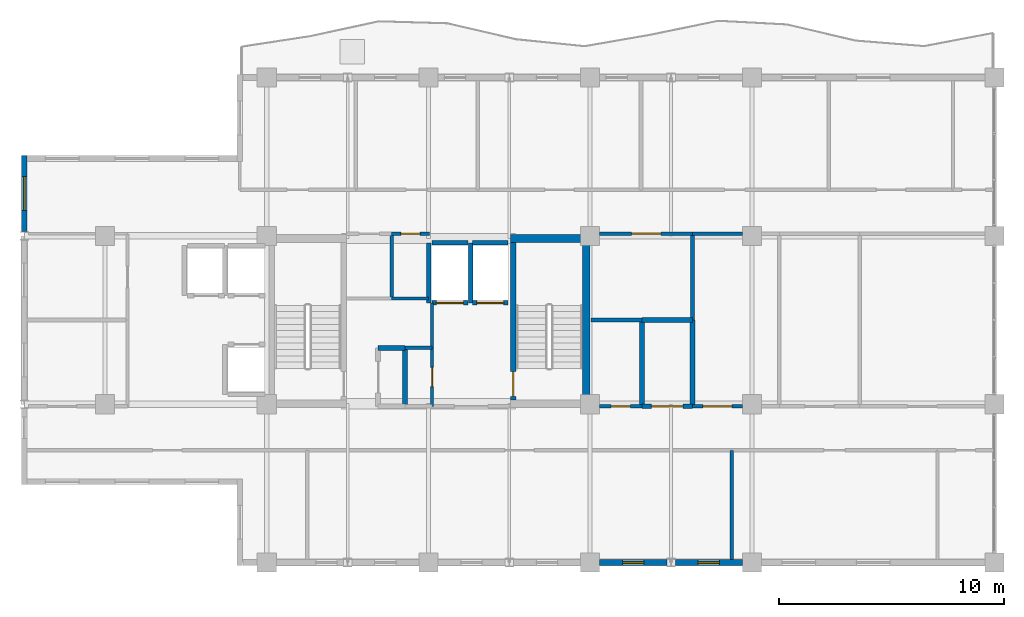
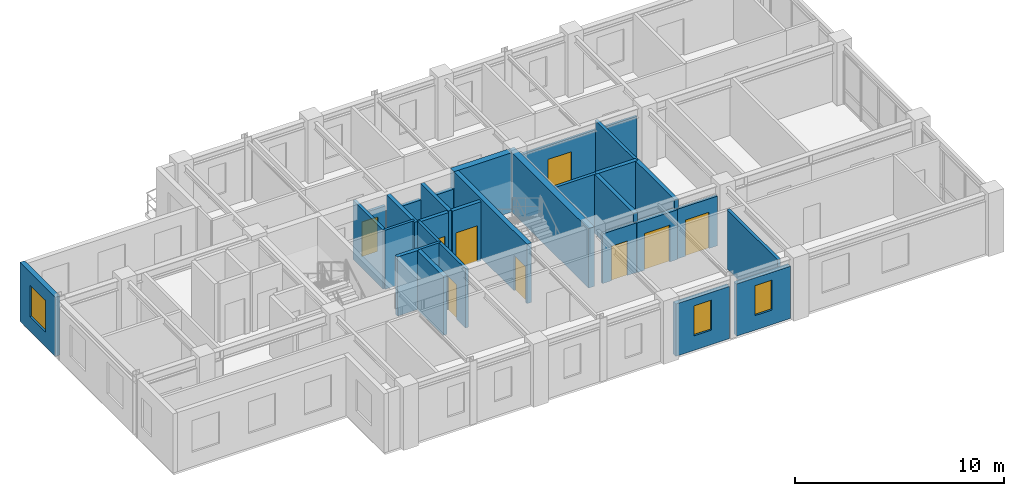
# One storey, part 7 of 10: 31 walls, 9 doors, 3 windows, 12 openings.
"""IFC4 building model written with IfcOpenShell, lengths in metres."""

from ifc_helpers import new_model, si_unit, direction, frame, frame_2d, origin, place, context, subcontext, project, spatial, rectangle, extrude, material, layer, layer_set, type_object, element, fill, save


model = new_model("IFC4")

# Units and contexts
model_context = context("Model", 3, precision=1e-05, world=origin(), true_north=direction((0.0, 1.0)))
body_context = subcontext(model_context, "Body", "Model", "MODEL_VIEW")
ifc_project = project(units=[si_unit("LENGTHUNIT", "METRE"), si_unit("AREAUNIT", "SQUARE_METRE"), si_unit("VOLUMEUNIT", "CUBIC_METRE"), si_unit("PLANEANGLEUNIT", "RADIAN"), si_unit("MASSUNIT", "GRAM", prefix="KILO")], contexts=[model_context])

# Site, building, storey
site_placement = place(None, origin())
site = spatial("IfcSite", under=ifc_project, at=site_placement, CompositionType="ELEMENT")
building_placement = place(site_placement, origin())
building = spatial("IfcBuilding", under=site, at=building_placement, Name="Kaliganga Portal Commons", CompositionType="ELEMENT")
storey_placement = place(building_placement, frame((0.0, 0.0, 283.199951171875)))
storey = spatial("IfcBuildingStorey", under=building, at=storey_placement, Name="L73", CompositionType="ELEMENT", Elevation=283.199951171875)

# Walls
ifc_material_1 = material(Name="Concrete C50/60", Category="concrete")
ifc_layer_1 = layer(ifc_material_1, 0.35009765625)
ifc_layer_set_1 = layer_set([ifc_layer_1], Name="Concrete C50/60")
wall_type_1 = type_object("IfcWallType", Name="WL-CORE-350", PredefinedType="SHEAR", material=ifc_layer_set_1)
wall_1_placement = place(storey_placement, frame((28.625, 28.5, 0.0), z_axis=(0.0, 0.0, 1.0), x_axis=(0.0, 1.0, 0.0)))
element("IfcWall", 1, at=wall_1_placement, inside=storey, type_object=wall_type_1, Name="Core A East Shear Wall L73", PredefinedType="SHEAR", context=body_context, shape_type="SweptSolid", body=[
    extrude(rectangle(XDim=7.699951171875, YDim=0.35009765625, at=frame_2d((3.85009765625, 0.0))), origin(), (0.0, 0.0, 1.0), 3.47509765625),
])
wall_2_placement = place(storey_placement, frame((25.25, 36.02490234375, 0.0), z_axis=(0.0, 0.0, 1.0), x_axis=(1.0, 0.0, 0.0)))
element("IfcWall", 2, at=wall_2_placement, inside=storey, type_object=wall_type_1, Name="Core A N-East Shear Wall L73", PredefinedType="SHEAR", context=body_context, shape_type="SweptSolid", body=[
    extrude(rectangle(XDim=3.199951171875, YDim=0.35009765625, at=frame_2d((1.60009765625, 0.0))), origin(), (0.0, 0.0, 1.0), 3.47509765625),
])

# Wall, opening, window
ifc_material_2 = material(Name="Insulated Aluminium-Clad Spandrel Assembly", Category="aluminium")
ifc_layer_2 = layer(ifc_material_2, 0.260009765625)
ifc_layer_set_2 = layer_set([ifc_layer_2], Name="Insulated Aluminium-Clad Spandrel Assembly")
wall_type_2 = type_object("IfcWallType", Name="WL-EXT-SPAND-260", PredefinedType="STANDARD", material=ifc_layer_set_2)
wall_3_placement = place(storey_placement, frame((32.2119140625, 21.60009765625, 0.0), z_axis=(0.0, 0.0, 1.0), x_axis=(-1.0, 0.0, 0.0)))
wall_3 = element("IfcWall", 3, at=wall_3_placement, inside=storey, type_object=wall_type_2, Name="Exterior Envelope Wall L73 P1-E00-S6", PredefinedType="STANDARD", context=body_context, shape_type="SweptSolid", body=[
    extrude(rectangle(XDim=2.98583984375, YDim=0.260009765625, at=frame_2d((1.492919921875, 0.0))), origin(), (0.0, 0.0, 1.0), 3.054931640625),
])
opening_1_placement = place(wall_3_placement, frame((1.01806640625, 0.0, 0.85009765625)))
opening_1 = element("IfcOpeningElement", 4, at=opening_1_placement, cuts=wall_3, Name="Opening W-04", PredefinedType="OPENING", context=body_context, shape_type="SweptSolid", body=[
    extrude(rectangle(XDim=0.949951171875, YDim=1.75, at=frame_2d((0.47509765625, 0.875))), frame((0.0, 0.14013671875, 0.0), z_axis=(0.0, -1.0, 0.0), x_axis=(1.0, 0.0, 0.0)), (0.0, 0.0, 1.0), 0.280029296875),
])
ifc_material_3 = material(Name="Thermally Broken Aluminium and Low-E Double Glazing", Category="aluminium")
window_type_1 = type_object("IfcWindowType", Name="WIN-NARROW-950", PartitioningType="SINGLE_PANEL", PredefinedType="WINDOW", material=ifc_material_3)
window_1_placement = place(opening_1_placement, origin())
window_1 = element("IfcWindow", 5, at=window_1_placement, inside=storey, type_object=window_type_1, Name="Facade Window L73-P1E00S6-00", OverallHeight=1.75, OverallWidth=0.949951171875, PartitioningType="SINGLE_PANEL", PredefinedType="WINDOW", context=body_context, shape_type="SweptSolid", body=[
    extrude(rectangle(XDim=0.949951171875, YDim=1.75, at=frame_2d((0.47509765625, 0.875))), frame((0.0, 0.030029296875, 0.0), z_axis=(0.0, -1.0, 0.0), x_axis=(1.0, 0.0, 0.0)), (0.0, 0.0, 1.0), 0.06005859375),
])
fill(opening_1, window_1)

wall_4_placement = place(storey_placement, frame((35.573974609375, 21.60009765625, 0.0), z_axis=(0.0, 0.0, 1.0), x_axis=(-1.0, 0.0, 0.0)))
wall_4 = element("IfcWall", 6, at=wall_4_placement, inside=storey, type_object=wall_type_2, Name="Exterior Envelope Wall L73 P1-E00-S7", PredefinedType="STANDARD", context=body_context, shape_type="SweptSolid", body=[
    extrude(rectangle(XDim=2.986083984375, YDim=0.260009765625, at=frame_2d((1.4931640625, 0.0))), origin(), (0.0, 0.0, 1.0), 3.054931640625),
])
opening_2_placement = place(wall_4_placement, frame((1.01806640625, 0.0, 0.85009765625)))
opening_2 = element("IfcOpeningElement", 7, at=opening_2_placement, cuts=wall_4, Name="Opening W-04", PredefinedType="OPENING", context=body_context, shape_type="SweptSolid", body=[
    extrude(rectangle(XDim=0.949951171875, YDim=1.75, at=frame_2d((0.47509765625, 0.875))), frame((0.0, 0.14013671875, 0.0), z_axis=(0.0, -1.0, 0.0), x_axis=(1.0, 0.0, 0.0)), (0.0, 0.0, 1.0), 0.280029296875),
])
window_2_placement = place(opening_2_placement, origin())
window_2 = element("IfcWindow", 8, at=window_2_placement, inside=storey, type_object=window_type_1, Name="Facade Window L73-P1E00S7-00", OverallHeight=1.75, OverallWidth=0.949951171875, PartitioningType="SINGLE_PANEL", PredefinedType="WINDOW", context=body_context, shape_type="SweptSolid", body=[
    extrude(rectangle(XDim=0.949951171875, YDim=1.75, at=frame_2d((0.47509765625, 0.875))), frame((0.0, 0.030029296875, 0.0), z_axis=(0.0, -1.0, 0.0), x_axis=(1.0, 0.0, 0.0)), (0.0, 0.0, 1.0), 0.06005859375),
])
fill(opening_2, window_2)

wall_5_placement = place(storey_placement, frame((3.60009765625, 36.3369140625, 0.0), z_axis=(0.0, 0.0, 1.0), x_axis=(0.0, 1.0, 0.0)))
wall_5 = element("IfcWall", 9, at=wall_5_placement, inside=storey, type_object=wall_type_2, Name="Exterior Envelope Wall L73 P1-E05-S1", PredefinedType="STANDARD", context=body_context, shape_type="SweptSolid", body=[
    extrude(rectangle(XDim=3.39306640625, YDim=0.260009765625, at=frame_2d((1.696533203125, 0.0))), origin(), (0.0, 0.0, 1.0), 3.455078125),
])
opening_3_placement = place(wall_5_placement, frame((0.946533203125, 0.0, 0.85009765625)))
opening_3 = element("IfcOpeningElement", 10, at=opening_3_placement, cuts=wall_5, Name="Opening W-02", PredefinedType="OPENING", context=body_context, shape_type="SweptSolid", body=[
    extrude(rectangle(XDim=1.5, YDim=1.85009765625, at=frame_2d((0.75, 0.925048828125))), frame((0.0, 0.14013671875, 0.0), z_axis=(0.0, -1.0, 0.0), x_axis=(1.0, 0.0, 0.0)), (0.0, 0.0, 1.0), 0.280029296875),
])
window_type_2 = type_object("IfcWindowType", Name="WIN-STD-1500", PartitioningType="DOUBLE_PANEL_VERTICAL", PredefinedType="WINDOW", material=ifc_material_3)
window_3_placement = place(opening_3_placement, origin())
window_3 = element("IfcWindow", 11, at=window_3_placement, inside=storey, type_object=window_type_2, Name="Facade Window L73-P1E05S1-00", OverallHeight=1.85009765625, OverallWidth=1.5, PartitioningType="SINGLE_PANEL", PredefinedType="WINDOW", context=body_context, shape_type="SweptSolid", body=[
    extrude(rectangle(XDim=1.5, YDim=1.85009765625, at=frame_2d((0.75, 0.925048828125))), frame((0.0, 0.030029296875, 0.0), z_axis=(0.0, -1.0, 0.0), x_axis=(1.0, 0.0, 0.0)), (0.0, 0.0, 1.0), 0.06005859375),
])
fill(opening_3, window_3)

# Wall, opening, door
ifc_material_4 = material(Name="Fire-Rated Gypsum Board on Steel Stud", Category="steel")
ifc_layer_3 = layer(ifc_material_4, 0.14990234375)
ifc_layer_set_3 = layer_set([ifc_layer_3], Name="Fire-Rated Gypsum Board on Steel Stud")
wall_type_3 = type_object("IfcWallType", Name="WL-PART-CORR-150", PredefinedType="PARTITIONING", material=ifc_layer_set_3)
wall_6_placement = place(storey_placement, frame((29.22509765625, 36.239990234375, 0.0), z_axis=(0.0, 0.0, 1.0), x_axis=(1.0, 0.0, 0.0)))
wall_6 = element("IfcWall", 12, at=wall_6_placement, inside=storey, type_object=wall_type_3, Name="Interior Partition L73-013", PredefinedType="PARTITIONING", context=body_context, shape_type="SweptSolid", body=[
    extrude(rectangle(XDim=4.135009765625, YDim=0.14990234375, at=frame_2d((2.0673828125, 0.0))), origin(), (0.0, 0.0, 1.0), 2.905029296875),
])
opening_4_placement = place(wall_6_placement, frame((1.41748046875, 0.0, 0.0)))
opening_4 = element("IfcOpeningElement", 13, at=opening_4_placement, cuts=wall_6, Name="Opening RD-03", PredefinedType="OPENING", context=body_context, shape_type="SweptSolid", body=[
    extrude(rectangle(XDim=1.300048828125, YDim=2.1201171875, at=frame_2d((0.64990234375, 1.06005859375))), frame((0.0, 0.0849609375, 0.0), z_axis=(0.0, -1.0, 0.0), x_axis=(1.0, 0.0, 0.0)), (0.0, 0.0, 1.0), 0.169921875),
])
ifc_material_5 = material(Name="Glazed Timber Seminar Vision Door", Category="wood")
door_type_1 = type_object("IfcDoorType", Name="DR-STUDY-1300", OperationType="DOUBLE_DOOR_SINGLE_SWING", PredefinedType="DOOR", material=ifc_material_5)
door_1_placement = place(opening_4_placement, origin())
door_1 = element("IfcDoor", 14, at=door_1_placement, inside=storey, type_object=door_type_1, Name="Interior Door L73-CSRV_A2", OperationType="DOUBLE_DOOR_SINGLE_SWING", OverallHeight=2.1201171875, OverallWidth=1.300048828125, PredefinedType="DOOR", context=body_context, shape_type="SweptSolid", body=[
    extrude(rectangle(XDim=1.300048828125, YDim=2.1201171875, at=frame_2d((0.64990234375, 1.06005859375))), frame((0.0, 0.02490234375, 0.0), z_axis=(0.0, -1.0, 0.0), x_axis=(1.0, 0.0, 0.0)), (0.0, 0.0, 1.0), 0.050048828125),
])
fill(opening_4, door_1)

wall_7_placement = place(storey_placement, frame((33.360107421875, 28.56005859375, 0.0), z_axis=(0.0, 0.0, 1.0), x_axis=(1.0, 0.0, 0.0)))
wall_7 = element("IfcWall", 15, at=wall_7_placement, inside=storey, type_object=wall_type_3, Name="Interior Partition L73-014", PredefinedType="PARTITIONING", context=body_context, shape_type="SweptSolid", body=[
    extrude(rectangle(XDim=2.21484375, YDim=0.14990234375, at=frame_2d((1.107421875, 0.0))), origin(), (0.0, 0.0, 1.0), 2.905029296875),
])
opening_5_placement = place(wall_7_placement, frame((0.45751953125, 0.0, 0.0)))
opening_5 = element("IfcOpeningElement", 16, at=opening_5_placement, cuts=wall_7, Name="Opening RD-03", PredefinedType="OPENING", context=body_context, shape_type="SweptSolid", body=[
    extrude(rectangle(XDim=1.300048828125, YDim=2.1201171875, at=frame_2d((0.64990234375, 1.06005859375))), frame((0.0, 0.0849609375, 0.0), z_axis=(0.0, -1.0, 0.0), x_axis=(1.0, 0.0, 0.0)), (0.0, 0.0, 1.0), 0.169921875),
])
door_2_placement = place(opening_5_placement, origin())
door_2 = element("IfcDoor", 17, at=door_2_placement, inside=storey, type_object=door_type_1, Name="Interior Door L73-AE01", OperationType="DOUBLE_DOOR_SINGLE_SWING", OverallHeight=2.1201171875, OverallWidth=1.300048828125, PredefinedType="DOOR", context=body_context, shape_type="SweptSolid", body=[
    extrude(rectangle(XDim=1.300048828125, YDim=2.1201171875, at=frame_2d((0.64990234375, 1.06005859375))), frame((0.0, 0.02490234375, 0.0), z_axis=(0.0, -1.0, 0.0), x_axis=(1.0, 0.0, 0.0)), (0.0, 0.0, 1.0), 0.050048828125),
])
fill(opening_5, door_2)

# Wall
wall_8_placement = place(storey_placement, frame((33.360107421875, 36.239990234375, 0.0), z_axis=(0.0, 0.0, 1.0), x_axis=(1.0, 0.0, 0.0)))
element("IfcWall", 18, at=wall_8_placement, inside=storey, type_object=wall_type_3, Name="Interior Partition L73-016", PredefinedType="PARTITIONING", context=body_context, shape_type="SweptSolid", body=[
    extrude(rectangle(XDim=2.21484375, YDim=0.14990234375, at=frame_2d((1.107421875, 0.0))), origin(), (0.0, 0.0, 1.0), 2.905029296875),
])

# Wall, opening, door
wall_9_placement = place(storey_placement, frame((21.760009765625, 28.56005859375, 0.0), z_axis=(0.0, 0.0, 1.0), x_axis=(0.0, 1.0, 0.0)))
wall_9 = element("IfcWall", 19, at=wall_9_placement, inside=storey, type_object=wall_type_3, Name="Interior Partition L73-023", PredefinedType="PARTITIONING", context=body_context, shape_type="SweptSolid", body=[
    extrude(rectangle(XDim=2.599853515625, YDim=0.14990234375, at=frame_2d((1.2998046875, 0.0))), origin(), (0.0, 0.0, 1.0), 3.455078125),
])
opening_6_placement = place(wall_9_placement, frame((0.8701171875, 0.0, 0.0)))
opening_6 = element("IfcOpeningElement", 20, at=opening_6_placement, cuts=wall_9, Name="Opening WD-02", PredefinedType="OPENING", context=body_context, shape_type="SweptSolid", body=[
    extrude(rectangle(XDim=0.860107421875, YDim=2.02001953125, at=frame_2d((0.43017578125, 1.010009765625))), frame((0.0, 0.0849609375, 0.0), z_axis=(0.0, -1.0, 0.0), x_axis=(1.0, 0.0, 0.0)), (0.0, 0.0, 1.0), 0.169921875),
])
ifc_material_6 = material(Name="Fire-Rated Utility Closet Door", Category="wood")
door_type_2 = type_object("IfcDoorType", Name="DR-STORE-800", OperationType="NOTDEFINED", PredefinedType="DOOR", material=ifc_material_6)
door_3_placement = place(opening_6_placement, origin())
door_3 = element("IfcDoor", 21, at=door_3_placement, inside=storey, type_object=door_type_2, Name="Interior Door L73-CIN_A2", OperationType="SINGLE_SWING_LEFT", OverallHeight=2.02001953125, OverallWidth=0.860107421875, PredefinedType="DOOR", context=body_context, shape_type="SweptSolid", body=[
    extrude(rectangle(XDim=0.860107421875, YDim=2.02001953125, at=frame_2d((0.43017578125, 1.010009765625))), frame((0.0, 0.02490234375, 0.0), z_axis=(0.0, -1.0, 0.0), x_axis=(1.0, 0.0, 0.0)), (0.0, 0.0, 1.0), 0.050048828125),
])
fill(opening_6, door_3)

wall_10_placement = place(storey_placement, frame((29.22509765625, 28.56005859375, 0.0), z_axis=(0.0, 0.0, 1.0), x_axis=(1.0, 0.0, 0.0)))
wall_10 = element("IfcWall", 22, at=wall_10_placement, inside=storey, type_object=wall_type_3, Name="Interior Partition L73-025", PredefinedType="PARTITIONING", context=body_context, shape_type="SweptSolid", body=[
    extrude(rectangle(XDim=1.875, YDim=0.14990234375, at=frame_2d((0.9375, 0.0))), origin(), (0.0, 0.0, 1.0), 2.905029296875),
])
opening_7_placement = place(wall_10_placement, frame((0.507568359375, 0.0, 0.0)))
opening_7 = element("IfcOpeningElement", 23, at=opening_7_placement, cuts=wall_10, Name="Opening WD-02", PredefinedType="OPENING", context=body_context, shape_type="SweptSolid", body=[
    extrude(rectangle(XDim=0.860107421875, YDim=2.02001953125, at=frame_2d((0.43017578125, 1.010009765625))), frame((0.0, 0.0849609375, 0.0), z_axis=(0.0, -1.0, 0.0), x_axis=(1.0, 0.0, 0.0)), (0.0, 0.0, 1.0), 0.169921875),
])
door_4_placement = place(opening_7_placement, origin())
door_4 = element("IfcDoor", 24, at=door_4_placement, inside=storey, type_object=door_type_2, Name="Interior Door L73-CSRV_A1", OperationType="SINGLE_SWING_LEFT", OverallHeight=2.02001953125, OverallWidth=0.860107421875, PredefinedType="DOOR", context=body_context, shape_type="SweptSolid", body=[
    extrude(rectangle(XDim=0.860107421875, YDim=2.02001953125, at=frame_2d((0.43017578125, 1.010009765625))), frame((0.0, 0.02490234375, 0.0), z_axis=(0.0, -1.0, 0.0), x_axis=(1.0, 0.0, 0.0)), (0.0, 0.0, 1.0), 0.050048828125),
])
fill(opening_7, door_4)

# Wall
wall_11_placement = place(storey_placement, frame((19.9599609375, 33.360107421875, 0.0), z_axis=(0.0, 0.0, 1.0), x_axis=(1.0, 0.0, 0.0)))
element("IfcWall", 25, at=wall_11_placement, inside=storey, type_object=wall_type_3, Name="Interior Partition L73-030", PredefinedType="PARTITIONING", context=body_context, shape_type="SweptSolid", body=[
    extrude(rectangle(XDim=1.650146484375, YDim=0.14990234375, at=frame_2d((0.8251953125, 0.0))), origin(), (0.0, 0.0, 1.0), 3.455078125),
])

# Wall, opening, door
wall_12_placement = place(storey_placement, frame((19.9599609375, 36.239990234375, 0.0), z_axis=(0.0, 0.0, 1.0), x_axis=(1.0, 0.0, 0.0)))
wall_12 = element("IfcWall", 26, at=wall_12_placement, inside=storey, type_object=wall_type_3, Name="Interior Partition L73-031", PredefinedType="PARTITIONING", context=body_context, shape_type="SweptSolid", body=[
    extrude(rectangle(XDim=1.679931640625, YDim=0.14990234375, at=frame_2d((0.83984375, 0.0))), origin(), (0.0, 0.0, 1.0), 2.554931640625),
])
opening_8_placement = place(wall_12_placement, frame((0.409912109375, 0.0, 0.0)))
opening_8 = element("IfcOpeningElement", 27, at=opening_8_placement, cuts=wall_12, Name="Opening WD-02", PredefinedType="OPENING", context=body_context, shape_type="SweptSolid", body=[
    extrude(rectangle(XDim=0.860107421875, YDim=2.02001953125, at=frame_2d((0.43017578125, 1.010009765625))), frame((0.0, 0.0849609375, 0.0), z_axis=(0.0, -1.0, 0.0), x_axis=(1.0, 0.0, 0.0)), (0.0, 0.0, 1.0), 0.169921875),
])
door_5_placement = place(opening_8_placement, origin())
door_5 = element("IfcDoor", 28, at=door_5_placement, inside=storey, type_object=door_type_2, Name="Interior Door L73-CREC_A2", OperationType="SINGLE_SWING_LEFT", OverallHeight=2.02001953125, OverallWidth=0.860107421875, PredefinedType="DOOR", context=body_context, shape_type="SweptSolid", body=[
    extrude(rectangle(XDim=0.860107421875, YDim=2.02001953125, at=frame_2d((0.43017578125, 1.010009765625))), frame((0.0, 0.02490234375, 0.0), z_axis=(0.0, -1.0, 0.0), x_axis=(1.0, 0.0, 0.0)), (0.0, 0.0, 1.0), 0.050048828125),
])
fill(opening_8, door_5)

# Walls
wall_13_placement = place(storey_placement, frame((20.56005859375, 31.159912109375, 0.0), z_axis=(0.0, 0.0, 1.0), x_axis=(1.0, 0.0, 0.0)))
element("IfcWall", 29, at=wall_13_placement, inside=storey, type_object=wall_type_3, Name="Interior Partition L73-033", PredefinedType="PARTITIONING", context=body_context, shape_type="SweptSolid", body=[
    extrude(rectangle(XDim=1.199951171875, YDim=0.14990234375, at=frame_2d((0.60009765625, 0.0))), origin(), (0.0, 0.0, 1.0), 3.455078125),
])
wall_14_placement = place(storey_placement, frame((21.760009765625, 31.159912109375, 0.0), z_axis=(0.0, 0.0, 1.0), x_axis=(0.0, 1.0, 0.0)))
element("IfcWall", 30, at=wall_14_placement, inside=storey, type_object=wall_type_3, Name="Interior Partition L73-058", PredefinedType="PARTITIONING", context=body_context, shape_type="SweptSolid", body=[
    extrude(rectangle(XDim=2.0, YDim=0.14990234375, at=frame_2d((1.0, 0.0))), origin(), (0.0, 0.0, 1.0), 3.455078125),
])

# Wall, opening, door
ifc_material_7 = material(Name="Lightweight blockwork masonry", Category="masonry")
ifc_layer_4 = layer(ifc_material_7, 0.215087890625)
ifc_layer_set_4 = layer_set([ifc_layer_4], Name="Lightweight blockwork masonry")
wall_type_4 = type_object("IfcWallType", Name="WL-PART-PLANT-215", PredefinedType="PARTITIONING", material=ifc_layer_set_4)
wall_15_placement = place(storey_placement, frame((31.10009765625, 28.56005859375, 0.0), z_axis=(0.0, 0.0, 1.0), x_axis=(1.0, 0.0, 0.0)))
wall_15 = element("IfcWall", 31, at=wall_15_placement, inside=storey, type_object=wall_type_4, Name="Interior Partition L73-026", PredefinedType="PARTITIONING", context=body_context, shape_type="SweptSolid", body=[
    extrude(rectangle(XDim=2.260009765625, YDim=0.215087890625, at=frame_2d((1.1298828125, 0.0))), origin(), (0.0, 0.0, 1.0), 2.905029296875),
])
opening_9_placement = place(wall_15_placement, frame((0.429931640625, 0.0, 0.0)))
opening_9 = element("IfcOpeningElement", 32, at=opening_9_placement, cuts=wall_15, Name="Opening PD-01", PredefinedType="OPENING", context=body_context, shape_type="SweptSolid", body=[
    extrude(rectangle(XDim=1.39990234375, YDim=2.14990234375, at=frame_2d((0.699951171875, 1.074951171875))), frame((0.0, 0.11767578125, 0.0), z_axis=(0.0, -1.0, 0.0), x_axis=(1.0, 0.0, 0.0)), (0.0, 0.0, 1.0), 0.235107421875),
])
ifc_material_8 = material(Name="Heavy-Duty Steel Acoustic Louvre Fire Door", Category="steel")
door_type_3 = type_object("IfcDoorType", Name="DR-PLANT-1400", OperationType="DOUBLE_DOOR_SINGLE_SWING", PredefinedType="DOOR", material=ifc_material_8)
door_6_placement = place(opening_9_placement, origin())
door_6 = element("IfcDoor", 33, at=door_6_placement, inside=storey, type_object=door_type_3, Name="Interior Door L73-CSRV_A3", OperationType="DOUBLE_DOOR_SINGLE_SWING", OverallHeight=2.14990234375, OverallWidth=1.39990234375, PredefinedType="DOOR", context=body_context, shape_type="SweptSolid", body=[
    extrude(rectangle(XDim=1.39990234375, YDim=2.14990234375, at=frame_2d((0.699951171875, 1.074951171875))), frame((0.0, 0.02490234375, 0.0), z_axis=(0.0, -1.0, 0.0), x_axis=(1.0, 0.0, 0.0)), (0.0, 0.0, 1.0), 0.050048828125),
])
fill(opening_9, door_6)

# Walls
wall_16_placement = place(storey_placement, frame((19.360107421875, 31.159912109375, 0.0), z_axis=(0.0, 0.0, 1.0), x_axis=(1.0, 0.0, 0.0)))
element("IfcWall", 34, at=wall_16_placement, inside=storey, type_object=wall_type_4, Name="Interior Partition L73-035", PredefinedType="PARTITIONING", context=body_context, shape_type="SweptSolid", body=[
    extrude(rectangle(XDim=1.199951171875, YDim=0.215087890625, at=frame_2d((0.60009765625, 0.0))), origin(), (0.0, 0.0, 1.0), 3.455078125),
])
for number, where, z_axis, x_axis, name in (
    (35, (31.10009765625, 28.56005859375, 0.0), (0.0, 0.0, 1.0), (0.0, 1.0, 0.0), "Interior Partition L73-051"),
    (36, (33.360107421875, 28.56005859375, 0.0), (0.0, 0.0, 1.0), (0.0, 1.0, 0.0), "Interior Partition L73-052"),
):
    element("IfcWall", number, at=place(storey_placement, frame(where, z_axis=z_axis, x_axis=x_axis)), inside=storey, type_object=wall_type_4, Name=name, PredefinedType="PARTITIONING", context=body_context, shape_type="SweptSolid", body=[
        extrude(rectangle(XDim=3.83984375, YDim=0.215087890625, at=frame_2d((1.919921875, 0.0))), origin(), (0.0, 0.0, 1.0), 3.455078125),
    ])
wall_17_placement = place(storey_placement, frame((20.56005859375, 28.56005859375, 0.0), z_axis=(0.0, 0.0, 1.0), x_axis=(0.0, 1.0, 0.0)))
element("IfcWall", 37, at=wall_17_placement, inside=storey, type_object=wall_type_4, Name="Interior Partition L73-055", PredefinedType="PARTITIONING", context=body_context, shape_type="SweptSolid", body=[
    extrude(rectangle(XDim=2.599853515625, YDim=0.215087890625, at=frame_2d((1.2998046875, 0.0))), origin(), (0.0, 0.0, 1.0), 3.455078125),
])
wall_18_placement = place(storey_placement, frame((31.10009765625, 32.39990234375, 0.0), z_axis=(0.0, 0.0, 1.0), x_axis=(1.0, 0.0, 0.0)))
element("IfcWall", 38, at=wall_18_placement, inside=storey, type_object=wall_type_4, Name="Interior Partition L73-057", PredefinedType="PARTITIONING", context=body_context, shape_type="SweptSolid", body=[
    extrude(rectangle(XDim=2.260009765625, YDim=0.215087890625, at=frame_2d((1.1298828125, 0.0))), origin(), (0.0, 0.0, 1.0), 3.455078125),
])
ifc_material_9 = material(Name="Twin-Stud Acoustic Gypsum Partition", Category="gypsum")
ifc_layer_5 = layer(ifc_material_9, 0.1650390625)
ifc_layer_set_5 = layer_set([ifc_layer_5], Name="Twin-Stud Acoustic Gypsum Partition")
wall_type_5 = type_object("IfcWallType", Name="WL-PART-UNIT-165", PredefinedType="PARTITIONING", material=ifc_layer_set_5)
wall_19_placement = place(storey_placement, frame((35.10009765625, 21.73193359375, 0.0), z_axis=(0.0, 0.0, 1.0), x_axis=(0.0, 1.0, 0.0)))
element("IfcWall", 39, at=wall_19_placement, inside=storey, type_object=wall_type_5, Name="Interior Partition L73-043", PredefinedType="PARTITIONING", context=body_context, shape_type="SweptSolid", body=[
    extrude(rectangle(XDim=4.8681640625, YDim=0.1650390625, at=frame_2d((2.43408203125, 0.0))), origin(), (0.0, 0.0, 1.0), 3.455078125),
])
wall_20_placement = place(storey_placement, frame((33.360107421875, 32.39990234375, 0.0), z_axis=(0.0, 0.0, 1.0), x_axis=(0.0, 1.0, 0.0)))
element("IfcWall", 40, at=wall_20_placement, inside=storey, type_object=wall_type_5, Name="Interior Partition L73-050", PredefinedType="PARTITIONING", context=body_context, shape_type="SweptSolid", body=[
    extrude(rectangle(XDim=3.840087890625, YDim=0.1650390625, at=frame_2d((1.919921875, 0.0))), origin(), (0.0, 0.0, 1.0), 3.455078125),
])
wall_21_placement = place(storey_placement, frame((19.9599609375, 33.360107421875, 0.0), z_axis=(0.0, 0.0, 1.0), x_axis=(0.0, 1.0, 0.0)))
element("IfcWall", 41, at=wall_21_placement, inside=storey, type_object=wall_type_5, Name="Interior Partition L73-054", PredefinedType="PARTITIONING", context=body_context, shape_type="SweptSolid", body=[
    extrude(rectangle(XDim=2.8798828125, YDim=0.1650390625, at=frame_2d((1.43994140625, 0.0))), origin(), (0.0, 0.0, 1.0), 3.455078125),
])
wall_22_placement = place(storey_placement, frame((28.840087890625, 32.39990234375, 0.0), z_axis=(0.0, 0.0, 1.0), x_axis=(1.0, 0.0, 0.0)))
element("IfcWall", 42, at=wall_22_placement, inside=storey, type_object=wall_type_5, Name="Interior Partition L73-056", PredefinedType="PARTITIONING", context=body_context, shape_type="SweptSolid", body=[
    extrude(rectangle(XDim=2.260009765625, YDim=0.1650390625, at=frame_2d((1.1298828125, 0.0))), origin(), (0.0, 0.0, 1.0), 3.455078125),
])

# Wall, opening, door
ifc_material_10 = material(Name="Fire-Rated Shaftwall Masonry Assembly", Category="masonry")
ifc_layer_6 = layer(ifc_material_10, 0.199951171875)
ifc_layer_set_6 = layer_set([ifc_layer_6], Name="Fire-Rated Shaftwall Masonry Assembly")
wall_type_6 = type_object("IfcWallType", Name="WL-SHAFT-200", PredefinedType="PARTITIONING", material=ifc_layer_set_6)
wall_23_placement = place(storey_placement, frame((21.75, 33.159912109375, 0.0), z_axis=(0.0, 0.0, 1.0), x_axis=(1.0, 0.0, 0.0)))
wall_23 = element("IfcWall", 43, at=wall_23_placement, inside=storey, type_object=wall_type_6, Name="Lift FFL-1 Hoistway Shaft Wall L73-S", PredefinedType="PARTITIONING", context=body_context, shape_type="SweptSolid", body=[
    extrude(rectangle(XDim=1.60009765625, YDim=0.199951171875, at=frame_2d((0.800048828125, 0.0))), origin(), (0.0, 0.0, 1.0), 3.455078125),
])
opening_10_placement = place(wall_23_placement, frame((0.199951171875, 0.0, 0.0)))
opening_10 = element("IfcOpeningElement", 44, at=opening_10_placement, cuts=wall_23, Name="Opening LD-02", PredefinedType="OPENING", context=body_context, shape_type="SweptSolid", body=[
    extrude(rectangle(XDim=1.199951171875, YDim=2.1201171875, at=frame_2d((0.60009765625, 1.06005859375))), frame((0.0, 0.10986328125, 0.0), z_axis=(0.0, -1.0, 0.0), x_axis=(1.0, 0.0, 0.0)), (0.0, 0.0, 1.0), 0.219970703125),
])
ifc_material_11 = material(Name="Brushed Stainless Steel 316 Stretcher Lift Landing Door", Category="steel")
door_type_4 = type_object("IfcDoorType", Name="DR-LIFT-1200", OperationType="SLIDING_TO_RIGHT", PredefinedType="DOOR", material=ifc_material_11)
door_7_placement = place(opening_10_placement, origin())
door_7 = element("IfcDoor", 45, at=door_7_placement, inside=storey, type_object=door_type_4, Name="Lift FFL-1 Sliding Landing Door L73", OperationType="SLIDING_TO_RIGHT", OverallHeight=2.1201171875, OverallWidth=1.199951171875, PredefinedType="DOOR", context=body_context, shape_type="SweptSolid", body=[
    extrude(rectangle(XDim=1.199951171875, YDim=2.1201171875, at=frame_2d((0.60009765625, 1.06005859375))), frame((0.0, 0.02490234375, 0.0), z_axis=(0.0, -1.0, 0.0), x_axis=(1.0, 0.0, 0.0)), (0.0, 0.0, 1.0), 0.050048828125),
])
fill(opening_10, door_7)

# Walls
wall_24_placement = place(storey_placement, frame((21.75, 35.840087890625, 0.0), z_axis=(0.0, 0.0, 1.0), x_axis=(1.0, 0.0, 0.0)))
element("IfcWall", 46, at=wall_24_placement, inside=storey, type_object=wall_type_6, Name="Lift FFL-1 Hoistway Shaft Wall L73-N", PredefinedType="PARTITIONING", context=body_context, shape_type="SweptSolid", body=[
    extrude(rectangle(XDim=1.60009765625, YDim=0.199951171875, at=frame_2d((0.800048828125, 0.0))), origin(), (0.0, 0.0, 1.0), 2.554931640625),
])
for number, where, z_axis, x_axis, name in (
    (47, (21.610107421875, 33.159912109375, 0.0), (0.0, 0.0, 1.0), (0.0, 1.0, 0.0), "Lift FFL-1 Hoistway Shaft Wall L73-W"),
    (48, (23.489990234375, 33.159912109375, 0.0), (0.0, 0.0, 1.0), (0.0, 1.0, 0.0), "Lift FFL-1 Hoistway Shaft Wall L73-E"),
):
    element("IfcWall", number, at=place(storey_placement, frame(where, z_axis=z_axis, x_axis=x_axis)), inside=storey, type_object=wall_type_6, Name=name, PredefinedType="PARTITIONING", context=body_context, shape_type="SweptSolid", body=[
        extrude(rectangle(XDim=2.68017578125, YDim=0.199951171875, at=frame_2d((1.340087890625, 0.0))), origin(), (0.0, 0.0, 1.0), 3.455078125),
    ])

# Wall, opening, door
wall_25_placement = place(storey_placement, frame((23.550048828125, 33.159912109375, 0.0), z_axis=(0.0, 0.0, 1.0), x_axis=(1.0, 0.0, 0.0)))
wall_25 = element("IfcWall", 49, at=wall_25_placement, inside=storey, type_object=wall_type_6, Name="Lift FFL-2 Hoistway Shaft Wall L73-S", PredefinedType="PARTITIONING", context=body_context, shape_type="SweptSolid", body=[
    extrude(rectangle(XDim=1.599853515625, YDim=0.199951171875, at=frame_2d((0.7998046875, 0.0))), origin(), (0.0, 0.0, 1.0), 3.455078125),
])
opening_11_placement = place(wall_25_placement, frame((0.199951171875, 0.0, 0.0)))
opening_11 = element("IfcOpeningElement", 50, at=opening_11_placement, cuts=wall_25, Name="Opening LD-02", PredefinedType="OPENING", context=body_context, shape_type="SweptSolid", body=[
    extrude(rectangle(XDim=1.199951171875, YDim=2.1201171875, at=frame_2d((0.60009765625, 1.06005859375))), frame((0.0, 0.10986328125, 0.0), z_axis=(0.0, -1.0, 0.0), x_axis=(1.0, 0.0, 0.0)), (0.0, 0.0, 1.0), 0.219970703125),
])
door_8_placement = place(opening_11_placement, origin())
door_8 = element("IfcDoor", 51, at=door_8_placement, inside=storey, type_object=door_type_4, Name="Lift FFL-2 Sliding Landing Door L73", OperationType="SLIDING_TO_RIGHT", OverallHeight=2.1201171875, OverallWidth=1.199951171875, PredefinedType="DOOR", context=body_context, shape_type="SweptSolid", body=[
    extrude(rectangle(XDim=1.199951171875, YDim=2.1201171875, at=frame_2d((0.60009765625, 1.06005859375))), frame((0.0, 0.02490234375, 0.0), z_axis=(0.0, -1.0, 0.0), x_axis=(1.0, 0.0, 0.0)), (0.0, 0.0, 1.0), 0.050048828125),
])
fill(opening_11, door_8)

# Wall
wall_26_placement = place(storey_placement, frame((23.550048828125, 35.840087890625, 0.0), z_axis=(0.0, 0.0, 1.0), x_axis=(1.0, 0.0, 0.0)))
element("IfcWall", 52, at=wall_26_placement, inside=storey, type_object=wall_type_6, Name="Lift FFL-2 Hoistway Shaft Wall L73-N", PredefinedType="PARTITIONING", context=body_context, shape_type="SweptSolid", body=[
    extrude(rectangle(XDim=1.599853515625, YDim=0.199951171875, at=frame_2d((0.7998046875, 0.0))), origin(), (0.0, 0.0, 1.0), 2.554931640625),
])

# Wall, opening, door
ifc_layer_7 = layer(ifc_material_1, 0.25)
ifc_layer_set_7 = layer_set([ifc_layer_7], Name="Concrete C50/60")
wall_type_7 = type_object("IfcWallType", Name="WL-STAIR-250", PredefinedType="SHEAR", material=ifc_layer_set_7)
wall_27_placement = place(storey_placement, frame((25.375, 28.85009765625, 0.0), z_axis=(0.0, 0.0, 1.0), x_axis=(0.0, 1.0, 0.0)))
wall_27 = element("IfcWall", 53, at=wall_27_placement, inside=storey, type_object=wall_type_7, Name="Stair A2 Enclosure Shear Wall L73", PredefinedType="SHEAR", context=body_context, shape_type="SweptSolid", body=[
    extrude(rectangle(XDim=7.0, YDim=0.25, at=frame_2d((3.5, 0.0))), origin(), (0.0, 0.0, 1.0), 3.47509765625),
])
opening_12_placement = place(wall_27_placement, frame((0.14990234375, 0.0, 0.0)))
opening_12 = element("IfcOpeningElement", 54, at=opening_12_placement, cuts=wall_27, Name="Opening SD-01", PredefinedType="OPENING", context=body_context, shape_type="SweptSolid", body=[
    extrude(rectangle(XDim=1.10009765625, YDim=2.080078125, at=frame_2d((0.550048828125, 1.0400390625))), frame((0.0, 0.135009765625, 0.0), z_axis=(0.0, -1.0, 0.0), x_axis=(1.0, 0.0, 0.0)), (0.0, 0.0, 1.0), 0.27001953125),
])
ifc_material_12 = material(Name="Galvanized Steel Fire Door Leaf and Frame", Category="steel")
door_type_5 = type_object("IfcDoorType", Name="DR-STAIR-1100", OperationType="NOTDEFINED", PredefinedType="DOOR", material=ifc_material_12)
door_9_placement = place(opening_12_placement, origin())
door_9 = element("IfcDoor", 55, at=door_9_placement, inside=storey, type_object=door_type_5, Name="Protected Stair ST-A2 Fire Door L73", OperationType="SINGLE_SWING_RIGHT", OverallHeight=2.080078125, OverallWidth=1.10009765625, PredefinedType="DOOR", context=body_context, shape_type="SweptSolid", body=[
    extrude(rectangle(XDim=1.10009765625, YDim=2.080078125, at=frame_2d((0.550048828125, 1.0400390625))), frame((0.0, 0.02490234375, 0.0), z_axis=(0.0, -1.0, 0.0), x_axis=(1.0, 0.0, 0.0)), (0.0, 0.0, 1.0), 0.050048828125),
])
fill(opening_12, door_9)

save(model, "model.ifc")
